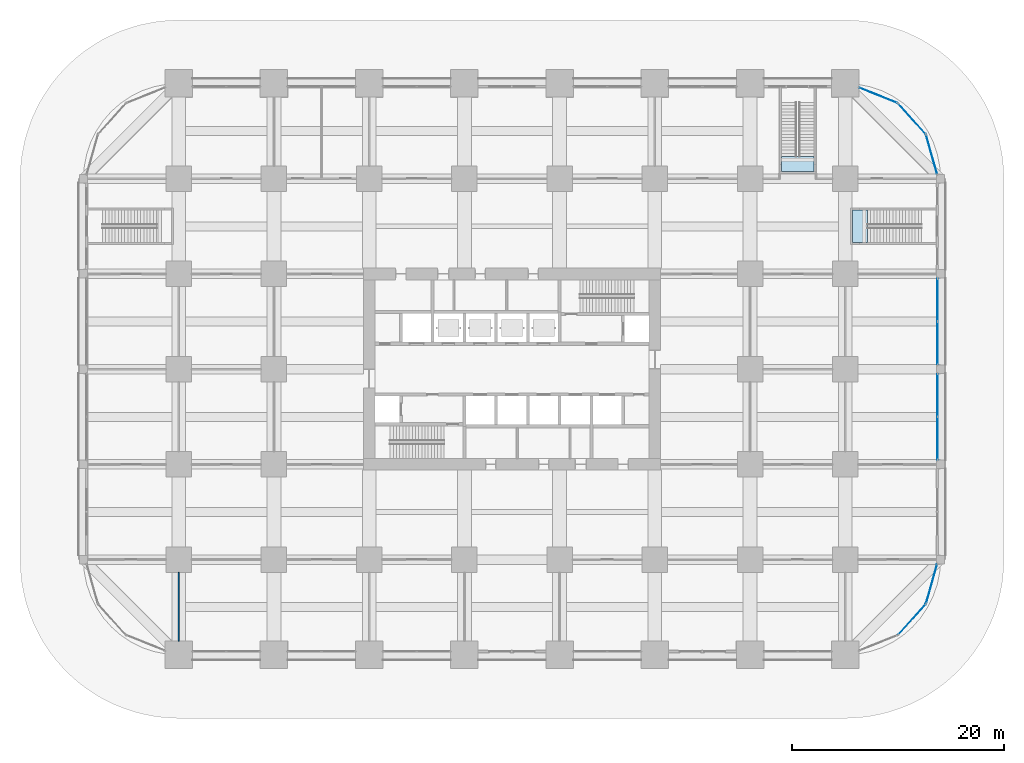
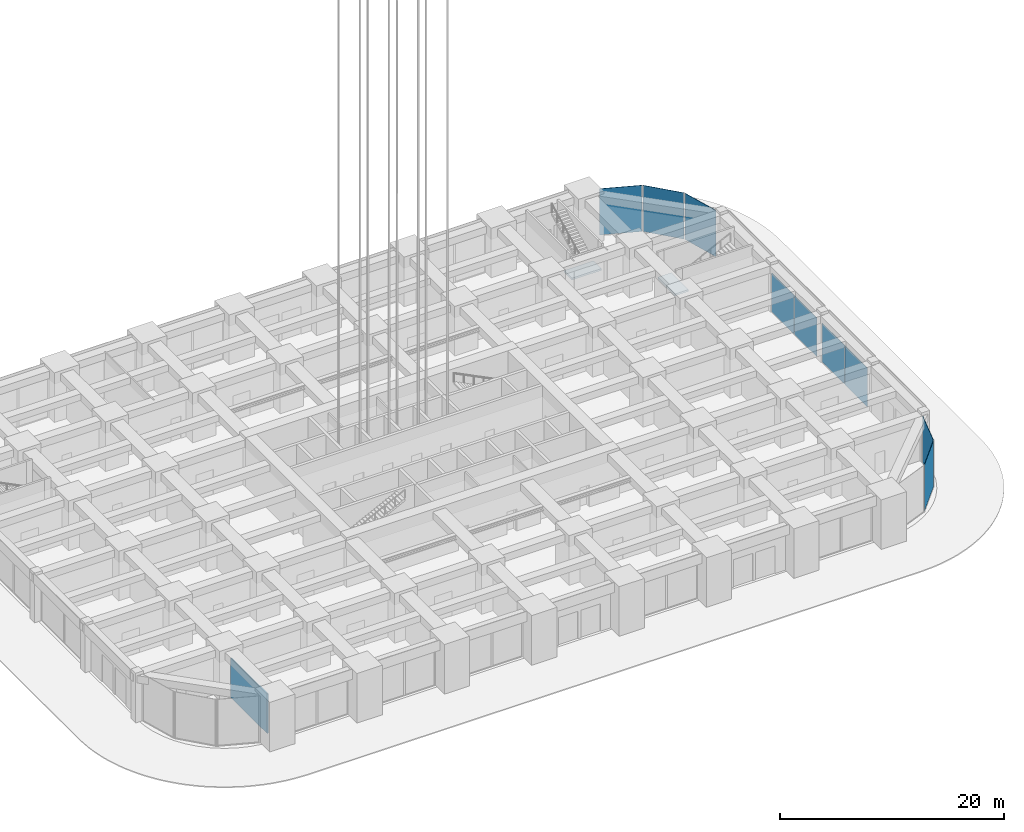
# One storey, part 40 of 56: 9 plates, 2 slabs, 1 wall, 9 elements without a shape of their own.
"""IFC4 building model written with IfcOpenShell, lengths in metres."""

import ifcopenshell
import ifcopenshell.guid

model = None  # the IFC model being written
_history = None  # IfcOwnerHistory: only IFC2X3 demands one
_inside = {}  # id of a spatial element -> (the spatial element, [elements in it])
_under = {}  # id of a project, library or spatial element -> (it, [spatial elements below it])
_declared = {}  # id of a project -> (the project, [libraries it declares])
_typed = {}  # id of a type object -> (the type object, [elements of that type])
_made_of = {}  # id of a material, layer set ... -> (it, [elements and type objects made of it])


def new_model(schema):
    """Start an empty IFC model of exactly this schema.

    Asked for "IFC4X3", IfcOpenShell would pick the latest addendum, in which some entities
    have other attributes; the version numbers below select the first issue.
    IFC2X3 requires an IfcOwnerHistory on every rooted entity: one is made here for all.
    """
    global model, _history
    if schema == "IFC4X3":
        model = ifcopenshell.file(schema_version=(4, 3, 0, 0))
    else:
        model = ifcopenshell.file(schema=schema)
    _inside.clear()
    _under.clear()
    _declared.clear()
    _typed.clear()
    _made_of.clear()
    _history = None
    if model.schema == "IFC2X3":
        org = make("IfcOrganization", Name="unknown")
        user = make(
            "IfcPersonAndOrganization",
            ThePerson=make("IfcPerson", FamilyName="unknown"),
            TheOrganization=org,
        )
        app = make(
            "IfcApplication",
            ApplicationDeveloper=org,
            Version="unknown",
            ApplicationFullName="unknown",
            ApplicationIdentifier="unknown",
        )
        _history = make(
            "IfcOwnerHistory",
            OwningUser=user,
            OwningApplication=app,
            ChangeAction="ADDED",
            CreationDate=0,
        )
    return model


def make(cls, **values):
    """One entity of the class cls with the attributes given. An attribute that is None is left unset."""
    return model.create_entity(
        cls, **{name: value for name, value in values.items() if value is not None}
    )


def rooted(cls, **values):
    """An entity with a GlobalId (a new one), such as an element, a storey or a relation."""
    return make(cls, GlobalId=ifcopenshell.guid.new(), OwnerHistory=_history, **values)


def si_unit(unit_type, name, prefix=None):
    """IfcSIUnit, for example si_unit("LENGTHUNIT", "METRE", prefix="MILLI")."""
    return make("IfcSIUnit", UnitType=unit_type, Prefix=prefix, Name=name)


def assignment(units):
    """IfcUnitAssignment: the units of a project."""
    return None if units is None else make("IfcUnitAssignment", Units=units)


def point(xyz):
    """IfcCartesianPoint."""
    return None if xyz is None else make("IfcCartesianPoint", Coordinates=xyz)


def direction(xyz):
    """IfcDirection."""
    return None if xyz is None else make("IfcDirection", DirectionRatios=xyz)


def frame(location, z_axis=None, x_axis=None):
    """IfcAxis2Placement3D, a coordinate frame: its origin and axes. An axis left out is left unset."""
    return make(
        "IfcAxis2Placement3D",
        Location=point(location),
        Axis=direction(z_axis),
        RefDirection=direction(x_axis),
    )


def frame_2d(location, x_axis=None):
    """IfcAxis2Placement2D, a coordinate frame in the plane: its origin and x axis."""
    return make(
        "IfcAxis2Placement2D", Location=point(location), RefDirection=direction(x_axis)
    )


def origin():
    """The frame at (0, 0, 0) with its axes left unset."""
    return frame((0.0, 0.0, 0.0))


def origin_2d():
    """The frame at (0, 0) in the plane with its x axis left unset."""
    return frame_2d((0.0, 0.0))


def place(relative_to, where):
    """IfcLocalPlacement: puts the frame where relative to a parent placement (None: the world)."""
    return make(
        "IfcLocalPlacement", PlacementRelTo=relative_to, RelativePlacement=where
    )


def context(
    kind, dimensions, precision=None, world=None, true_north=None, identifier=None
):
    """IfcGeometricRepresentationContext, for example the 3D "Model" context."""
    return make(
        "IfcGeometricRepresentationContext",
        ContextIdentifier=identifier,
        ContextType=kind,
        CoordinateSpaceDimension=dimensions,
        Precision=precision,
        WorldCoordinateSystem=world,
        TrueNorth=true_north,
    )


def subcontext(parent, identifier, kind, view, scale=None):
    """IfcGeometricRepresentationSubContext, for example "Body" below "Model"."""
    return make(
        "IfcGeometricRepresentationSubContext",
        ContextIdentifier=identifier,
        ContextType=kind,
        ParentContext=parent,
        TargetScale=scale,
        TargetView=view,
    )


def project(units=None, contexts=None):
    """IfcProject with its units and contexts."""
    return rooted(
        "IfcProject",
        Name="project",
        RepresentationContexts=contexts,
        UnitsInContext=assignment(units),
    )


def spatial(cls, under=None, at=None, **own):
    """A site, building, storey or space (cls), placed at a placement, below another one or the project."""
    s = rooted(cls, ObjectPlacement=at, **own)
    if under is not None:
        _under.setdefault(under.id(), (under, []))[1].append(s)
    return s


def polyline(points):
    """IfcPolyline through the points."""
    return make("IfcPolyline", Points=[point(p) for p in points])


def profile(cls, at=None, kind="AREA", **sizes):
    """A parametric profile (cls). Its sizes go by their IFC names, for example OverallWidth=200.0."""
    return make(cls, ProfileType=kind, Position=at, **sizes)


def rectangle(**sizes):
    """IfcRectangleProfileDef."""
    return profile("IfcRectangleProfileDef", **sizes)


def outline(outer, holes=None, kind="AREA"):
    """IfcArbitraryClosedProfileDef: a profile drawn as a closed curve; with holes, ...WithVoids."""
    if holes is None:
        return make("IfcArbitraryClosedProfileDef", ProfileType=kind, OuterCurve=outer)
    return make(
        "IfcArbitraryProfileDefWithVoids",
        ProfileType=kind,
        OuterCurve=outer,
        InnerCurves=holes,
    )


def extrude(swept, where, along, depth):
    """IfcExtrudedAreaSolid: the profile swept, set in the frame where, extruded along a direction by depth."""
    return make(
        "IfcExtrudedAreaSolid",
        SweptArea=swept,
        Position=where,
        ExtrudedDirection=direction(along),
        Depth=depth,
    )


def shape(context_of_items, identifier, shape_type, items):
    """IfcShapeRepresentation: the items that make up one representation, for example the "Body"."""
    return make(
        "IfcShapeRepresentation",
        ContextOfItems=context_of_items,
        RepresentationIdentifier=identifier,
        RepresentationType=shape_type,
        Items=items,
    )


def material(Name=None, Category=None):
    """IfcMaterial."""
    return make("IfcMaterial", Name=Name, Category=Category)


def layer(
    of_material, thickness, ventilated=None, Name=None, Category=None, Priority=None
):
    """IfcMaterialLayer: one layer of a wall or slab, of a material (None: an air gap)."""
    return make(
        "IfcMaterialLayer",
        Material=of_material,
        LayerThickness=thickness,
        IsVentilated=ventilated,
        Name=Name,
        Category=Category,
        Priority=Priority,
    )


def layer_set(layers, Name=None):
    """IfcMaterialLayerSet."""
    return make("IfcMaterialLayerSet", MaterialLayers=layers, LayerSetName=Name)


def made_of(thing, what):
    """Note that an element or type object is made of a material, layer set ...; save() writes the relation."""
    if what is not None:
        _made_of.setdefault(what.id(), (what, []))[1].append(thing)
    return thing


def type_object(cls, material=None, **own):
    """A type object (cls), such as IfcWallType, which elements share."""
    return made_of(rooted(cls, **own), material)


def element(
    cls,
    number,
    at=None,
    inside=None,
    cuts=None,
    type_object=None,
    material=None,
    context=None,
    identifier="Body",
    shape_type=None,
    held_by="IfcProductDefinitionShape",
    body=None,
    shapes=None,
    **own,
):
    """One element of the class cls, such as IfcWall. Its Tag is "e" and its number.

    at: its placement. inside: the storey or other place that contains it. cuts: it is an
    opening in that element (IfcRelVoidsElement). A single representation is given by context,
    identifier, shape_type and body (its items); several are given by shapes. held_by: the class
    of the entity that holds the representations. save() writes the other relations.
    """
    e = rooted(cls, Tag="e%d" % number, ObjectPlacement=at, **own)
    if body is not None:
        shapes = [shape(context, identifier, shape_type, body)]
    if shapes is not None:
        e.Representation = make(held_by, Representations=shapes)
    if inside is not None:
        _inside.setdefault(inside.id(), (inside, []))[1].append(e)
    if cuts is not None:
        rooted(
            "IfcRelVoidsElement", RelatingBuildingElement=cuts, RelatedOpeningElement=e
        )
    if type_object is not None:
        _typed.setdefault(type_object.id(), (type_object, []))[1].append(e)
    return made_of(e, material)


def aggregate(whole, parts):
    """IfcRelAggregates: a whole, such as a stair, and the parts it consists of."""
    return rooted("IfcRelAggregates", RelatingObject=whole, RelatedObjects=parts)


def save(model, path):
    """Write the relations noted so far, then the file.

    IfcRelAggregates (storeys below a building ...), IfcRelContainedInSpatialStructure (elements
    in a storey), IfcRelDefinesByType, IfcRelAssociatesMaterial and IfcRelDeclares: one each for
    every whole, place, type object, material and project.
    """
    for whole, parts in _under.values():
        aggregate(whole, parts)
    for where, things in _inside.values():
        rooted(
            "IfcRelContainedInSpatialStructure",
            RelatedElements=things,
            RelatingStructure=where,
        )
    for kind, things in _typed.values():
        rooted("IfcRelDefinesByType", RelatedObjects=things, RelatingType=kind)
    for what, things in _made_of.values():
        rooted("IfcRelAssociatesMaterial", RelatedObjects=things, RelatingMaterial=what)
    for by, libraries in _declared.values():
        rooted("IfcRelDeclares", RelatingContext=by, RelatedDefinitions=libraries)
    model.write(path)


model = new_model("IFC4")

# Units and contexts
model_context = context("Model", 3, precision=1e-05, world=origin(), true_north=direction((0.0, 1.0)))
body_context = subcontext(model_context, "Body", "Model", "MODEL_VIEW")
ifc_project = project(units=[si_unit("LENGTHUNIT", "METRE"), si_unit("AREAUNIT", "SQUARE_METRE"), si_unit("VOLUMEUNIT", "CUBIC_METRE"), si_unit("PLANEANGLEUNIT", "RADIAN"), si_unit("MASSUNIT", "GRAM", prefix="KILO")], contexts=[model_context])

# Site, building, storey
site_placement = place(None, origin())
site = spatial("IfcSite", under=ifc_project, at=site_placement, CompositionType="ELEMENT")
building_placement = place(site_placement, origin())
building = spatial("IfcBuilding", under=site, at=building_placement, Name="Zorevar Civic Tower", CompositionType="ELEMENT")
storey_placement = place(building_placement, origin())
storey = spatial("IfcBuildingStorey", under=building, at=storey_placement, Name="L00", CompositionType="ELEMENT", Elevation=0.0)

# Curtain wall, plates
ifc_material_1 = material(Name="Dark grey solar-control glass in black aluminium frame", Category="aluminium")
curtain_wall_type = type_object("IfcCurtainWallType", Name="Curtain wall CW1 podium", PredefinedType="NOTDEFINED", material=ifc_material_1)
curtain_wall_1_placement = place(storey_placement, origin())
curtain_wall_1 = element("IfcCurtainWall", 1, at=curtain_wall_1_placement, inside=storey, type_object=curtain_wall_type, Name="CW1 L00", PredefinedType="NOTDEFINED")
ifc_material_2 = material(Name="Dark grey solar-control glass", Category="glass")
ifc_layer_1 = layer(ifc_material_2, 0.033935546875)
ifc_layer_set_1 = layer_set([ifc_layer_1], Name="CW1 panel 34")
plate_type = type_object("IfcPlateType", Name="CW1 panel 34", PredefinedType="CURTAIN_PANEL", material=ifc_layer_set_1)
plate_1_placement = place(storey_placement, frame((71.699951171875, 20.465087890625, 0.06005859375), z_axis=(0.0, 0.0, 1.0), x_axis=(0.0, 1.0, 0.0)))
plate_1 = element("IfcPlate", 2, at=plate_1_placement, type_object=plate_type, Name="CW1 panel 1.1", PredefinedType="CURTAIN_PANEL", context=body_context, shape_type="SweptSolid", body=[
    extrude(rectangle(XDim=4.010009765625, YDim=0.033935546875, at=origin_2d()), origin(), (0.0, 0.0, 1.0), 4.239990234375),
])
plate_2_placement = place(storey_placement, frame((71.699951171875, 24.534912109375, 0.06005859375), z_axis=(0.0, 0.0, 1.0), x_axis=(0.0, 1.0, 0.0)))
plate_2 = element("IfcPlate", 3, at=plate_2_placement, type_object=plate_type, Name="CW1 panel 2.1", PredefinedType="CURTAIN_PANEL", context=body_context, shape_type="SweptSolid", body=[
    extrude(rectangle(XDim=4.010009765625, YDim=0.033935546875, at=origin_2d()), origin(), (0.0, 0.0, 1.0), 4.239990234375),
])
aggregate(curtain_wall_1, [plate_1, plate_2])

curtain_wall_2_placement = place(storey_placement, origin())
curtain_wall_2 = element("IfcCurtainWall", 4, at=curtain_wall_2_placement, inside=storey, type_object=curtain_wall_type, Name="CW1 L00", PredefinedType="NOTDEFINED")
plate_3_placement = place(storey_placement, frame((71.699951171875, 29.465087890625, 0.06005859375), z_axis=(0.0, 0.0, 1.0), x_axis=(0.0, 1.0, 0.0)))
plate_3 = element("IfcPlate", 5, at=plate_3_placement, type_object=plate_type, Name="CW1 panel 1.1", PredefinedType="CURTAIN_PANEL", context=body_context, shape_type="SweptSolid", body=[
    extrude(rectangle(XDim=4.010009765625, YDim=0.033935546875, at=origin_2d()), origin(), (0.0, 0.0, 1.0), 4.239990234375),
])
plate_4_placement = place(storey_placement, frame((71.699951171875, 33.534912109375, 0.06005859375), z_axis=(0.0, 0.0, 1.0), x_axis=(0.0, 1.0, 0.0)))
plate_4 = element("IfcPlate", 6, at=plate_4_placement, type_object=plate_type, Name="CW1 panel 2.1", PredefinedType="CURTAIN_PANEL", context=body_context, shape_type="SweptSolid", body=[
    extrude(rectangle(XDim=4.010009765625, YDim=0.033935546875, at=origin_2d()), origin(), (0.0, 0.0, 1.0), 4.239990234375),
])
aggregate(curtain_wall_2, [plate_3, plate_4])

# Curtain wall, plate
curtain_wall_3_placement = place(storey_placement, origin())
curtain_wall_3 = element("IfcCurtainWall", 7, at=curtain_wall_3_placement, inside=storey, type_object=curtain_wall_type, Name="CW1 L00", PredefinedType="NOTDEFINED")
plate_5_placement = place(storey_placement, frame((69.294189453125, 3.328369140625, 0.06005859375), z_axis=(0.0, 0.0, 1.0), x_axis=(0.669402758568, 0.742899688263, 0.0)))
plate_5 = element("IfcPlate", 8, at=plate_5_placement, type_object=plate_type, Name="CW1 panel 1.1", PredefinedType="CURTAIN_PANEL", context=body_context, shape_type="SweptSolid", body=[
    extrude(rectangle(XDim=3.83203125, YDim=0.033935546875, at=origin_2d()), origin(), (0.0, 0.0, 1.0), 5.0400390625),
])
aggregate(curtain_wall_3, [plate_5])

curtain_wall_4_placement = place(storey_placement, origin())
curtain_wall_4 = element("IfcCurtainWall", 9, at=curtain_wall_4_placement, inside=storey, type_object=curtain_wall_type, Name="CW1 L00", PredefinedType="NOTDEFINED")
plate_6_placement = place(storey_placement, frame((71.15380859375, 6.6982421875, 0.06005859375), z_axis=(0.0, 0.0, 1.0), x_axis=(0.271669082929, 0.962390725943, 0.0)))
plate_6 = element("IfcPlate", 10, at=plate_6_placement, type_object=plate_type, Name="CW1 panel 1.1", PredefinedType="CURTAIN_PANEL", context=body_context, shape_type="SweptSolid", body=[
    extrude(rectangle(XDim=3.83203125, YDim=0.033935546875, at=origin_2d()), origin(), (0.0, 0.0, 1.0), 5.0400390625),
])
aggregate(curtain_wall_4, [plate_6])

curtain_wall_5_placement = place(storey_placement, origin())
curtain_wall_5 = element("IfcCurtainWall", 11, at=curtain_wall_5_placement, inside=storey, type_object=curtain_wall_type, Name="CW1 L00", PredefinedType="NOTDEFINED")
plate_7_placement = place(storey_placement, frame((71.15380859375, 47.3017578125, 0.06005859375), z_axis=(0.0, 0.0, 1.0), x_axis=(-0.271669082929, 0.962390725943, 0.0)))
plate_7 = element("IfcPlate", 12, at=plate_7_placement, type_object=plate_type, Name="CW1 panel 1.1", PredefinedType="CURTAIN_PANEL", context=body_context, shape_type="SweptSolid", body=[
    extrude(rectangle(XDim=3.83203125, YDim=0.033935546875, at=origin_2d()), origin(), (0.0, 0.0, 1.0), 5.0400390625),
])
aggregate(curtain_wall_5, [plate_7])

curtain_wall_6_placement = place(storey_placement, origin())
curtain_wall_6 = element("IfcCurtainWall", 13, at=curtain_wall_6_placement, inside=storey, type_object=curtain_wall_type, Name="CW1 L00", PredefinedType="NOTDEFINED")
plate_8_placement = place(storey_placement, frame((69.294189453125, 50.671630859375, 0.06005859375), z_axis=(0.0, 0.0, 1.0), x_axis=(-0.669402758568, 0.742899688263, 0.0)))
plate_8 = element("IfcPlate", 14, at=plate_8_placement, type_object=plate_type, Name="CW1 panel 1.1", PredefinedType="CURTAIN_PANEL", context=body_context, shape_type="SweptSolid", body=[
    extrude(rectangle(XDim=3.83203125, YDim=0.033935546875, at=origin_2d()), origin(), (0.0, 0.0, 1.0), 5.0400390625),
])
aggregate(curtain_wall_6, [plate_8])

curtain_wall_7_placement = place(storey_placement, origin())
curtain_wall_7 = element("IfcCurtainWall", 15, at=curtain_wall_7_placement, inside=storey, type_object=curtain_wall_type, Name="CW1 L00", PredefinedType="NOTDEFINED")
plate_9_placement = place(storey_placement, frame((66.1357421875, 52.870849609375, 0.06005859375), z_axis=(0.0, 0.0, 1.0), x_axis=(-0.928987553289, 0.370110964218, 0.0)))
plate_9 = element("IfcPlate", 16, at=plate_9_placement, type_object=plate_type, Name="CW1 panel 1.1", PredefinedType="CURTAIN_PANEL", context=body_context, shape_type="SweptSolid", body=[
    extrude(rectangle(XDim=3.83203125, YDim=0.033935546875, at=origin_2d()), origin(), (0.0, 0.0, 1.0), 5.0400390625),
])
aggregate(curtain_wall_7, [plate_9])

# Stair, slab
ifc_material_3 = material(Name="Precast concrete C40/50", Category="concrete")
stair_type = type_object("IfcStairType", Name="Escape stair PS 36R", PredefinedType="HALF_TURN_STAIR", material=ifc_material_3)
stair_1_placement = place(storey_placement, origin())
stair_1 = element("IfcStair", 17, at=stair_1_placement, inside=storey, type_object=stair_type, Name="Escape stair PS2 L00", PredefinedType="HALF_TURN_STAIR")
ifc_material_4 = material(Name="Concrete C40/50", Category="concrete")
ifc_layer_2 = layer(ifc_material_4, 0.199951171875)
ifc_layer_set_2 = layer_set([ifc_layer_2], Name="Stair landing 200")
slab_type = type_object("IfcSlabType", Name="Stair landing 200", PredefinedType="LANDING", material=ifc_layer_set_2)
slab_1_placement = place(storey_placement, frame((0.0, 0.0, 2.5)))
slab_1 = element("IfcSlab", 18, at=slab_1_placement, type_object=slab_type, Name="PS2 landing 1", PredefinedType="LANDING", context=body_context, shape_type="SweptSolid", body=[
    extrude(outline(polyline([(63.699951171875, 38.97509765625), (65.10009765625, 38.97509765625), (65.10009765625, 42.02490234375), (63.699951171875, 42.02490234375), (63.699951171875, 38.97509765625)])), origin(), (0.0, 0.0, 1.0), 0.199951171875),
])
aggregate(stair_1, [slab_1])

stair_2_placement = place(storey_placement, origin())
stair_2 = element("IfcStair", 19, at=stair_2_placement, inside=storey, type_object=stair_type, Name="Escape stair PS3 L00", PredefinedType="HALF_TURN_STAIR")
slab_2_placement = place(storey_placement, frame((0.0, 0.0, 2.5)))
slab_2 = element("IfcSlab", 20, at=slab_2_placement, type_object=slab_type, Name="PS3 landing 1", PredefinedType="LANDING", context=body_context, shape_type="SweptSolid", body=[
    extrude(outline(polyline([(56.97509765625, 45.699951171875), (60.02490234375, 45.699951171875), (60.02490234375, 47.10009765625), (56.97509765625, 47.10009765625), (56.97509765625, 45.699951171875)])), origin(), (0.0, 0.0, 1.0), 0.199951171875),
])
aggregate(stair_2, [slab_2])

# Wall
ifc_material_5 = material(Name="Gypsum board on steel studs", Category="steel")
ifc_layer_3 = layer(ifc_material_5, 0.1201171875)
ifc_layer_set_3 = layer_set([ifc_layer_3], Name="Partition 120")
wall_type = type_object("IfcWallType", Name="Partition 120", PredefinedType="PARTITIONING", material=ifc_layer_set_3)
wall_placement = place(storey_placement, frame((0.0, 1.300048828125, 0.0), z_axis=(0.0, 0.0, 1.0), x_axis=(0.0, 1.0, 0.0)))
element("IfcWall", 21, at=wall_placement, inside=storey, type_object=wall_type, Name="Partition 120 L00", PredefinedType="PARTITIONING", context=body_context, shape_type="SweptSolid", body=[
    extrude(rectangle(XDim=6.5, YDim=0.1201171875, at=frame_2d((3.25, 0.0))), origin(), (0.0, 0.0, 1.0), 4.300048828125),
])

save(model, "model.ifc")
